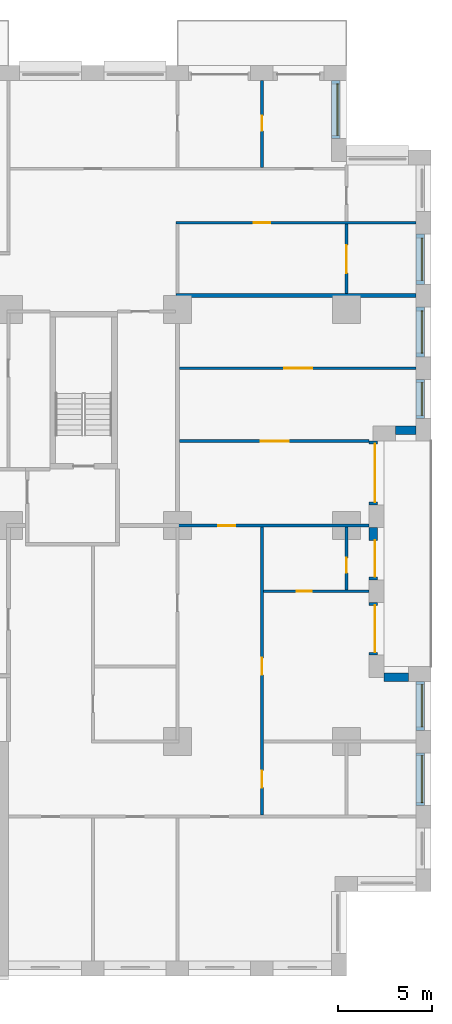
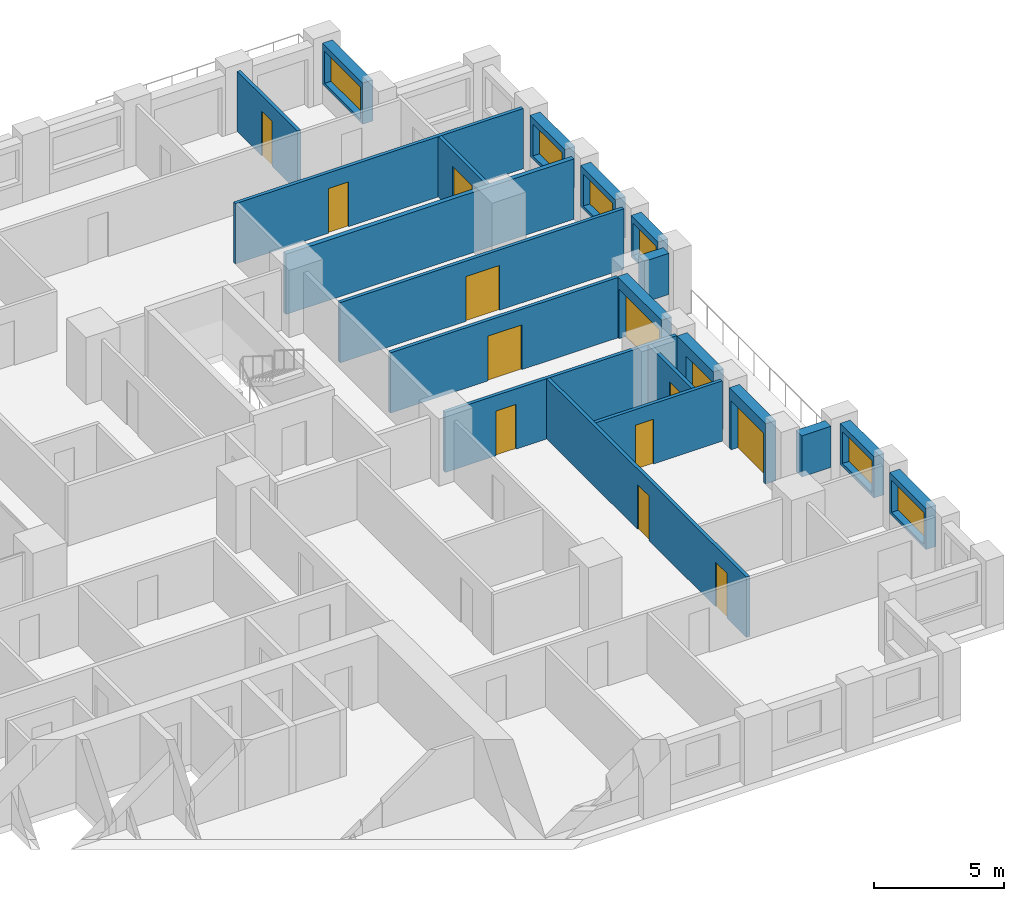
# One storey, part 17 of 20: 21 walls, 13 doors, 6 windows, 19 openings.
"""IFC4 building model written with IfcOpenShell, lengths in metres."""

from ifc_helpers import new_model, si_unit, direction, frame, frame_2d, origin, place, context, subcontext, project, spatial, rectangle, extrude, material, layer, layer_set, type_object, element, fill, save


model = new_model("IFC4")

# Units and contexts
model_context = context("Model", 3, precision=1e-05, world=origin(), true_north=direction((0.0, 1.0)))
body_context = subcontext(model_context, "Body", "Model", "MODEL_VIEW")
ifc_project = project(units=[si_unit("LENGTHUNIT", "METRE"), si_unit("AREAUNIT", "SQUARE_METRE"), si_unit("VOLUMEUNIT", "CUBIC_METRE"), si_unit("PLANEANGLEUNIT", "RADIAN"), si_unit("MASSUNIT", "GRAM", prefix="KILO")], contexts=[model_context])

# Site, building, storey
site_placement = place(None, origin())
site = spatial("IfcSite", under=ifc_project, at=site_placement, CompositionType="ELEMENT")
building_placement = place(site_placement, origin())
building = spatial("IfcBuilding", under=site, at=building_placement, Name="Brigalow Station Residences", CompositionType="ELEMENT")
storey_placement = place(building_placement, frame((0.0, 0.0, 38.39990234375)))
storey = spatial("IfcBuildingStorey", under=building, at=storey_placement, Name="L10", CompositionType="ELEMENT", Elevation=38.39990234375)

# Wall, opening, window
ifc_material_1 = material(Name="Clay brick masonry", Category="masonry")
ifc_layer_1 = layer(ifc_material_1, 0.449951171875)
ifc_layer_set_1 = layer_set([ifc_layer_1], Name="BRICK INFILL WALL 450")
wall_type_1 = type_object("IfcWallType", Name="BRICK INFILL WALL 450", PredefinedType="SOLIDWALL", material=ifc_layer_set_1)
wall_1_placement = place(storey_placement, frame((75.925048828125, 9.10009765625, 0.900146484375), z_axis=(0.0, 0.0, 1.0), x_axis=(0.0, 1.0, 0.0)))
wall_1 = element("IfcWall", 1, at=wall_1_placement, inside=storey, type_object=wall_type_1, Name="L10/ewall/W-L10-12", PredefinedType="SOLIDWALL", context=body_context, shape_type="SweptSolid", body=[
    extrude(rectangle(XDim=2.7998046875, YDim=0.449951171875, at=frame_2d((1.39990234375, 0.0))), origin(), (0.0, 0.0, 1.0), 1.929931640625),
])
opening_1_placement = place(wall_1_placement, frame((0.14990234375, 0.0, 0.14990234375)))
opening_1 = element("IfcOpeningElement", 2, at=opening_1_placement, cuts=wall_1, Name="Opening WT-5", PredefinedType="OPENING", context=body_context, shape_type="SweptSolid", body=[
    extrude(rectangle(XDim=2.5, YDim=1.5, at=frame_2d((1.25, 0.75))), frame((0.0, 0.23486328125, 0.0), z_axis=(0.0, -1.0, 0.0), x_axis=(1.0, 0.0, 0.0)), (0.0, 0.0, 1.0), 0.469970703125),
])
ifc_material_2 = material(Name="Anodised aluminium frame with double glazing", Category="aluminium")
window_type_1 = type_object("IfcWindowType", Name="WINDOW 2500x1500", PartitioningType="SINGLE_PANEL", PredefinedType="WINDOW", material=ifc_material_2)
window_1_placement = place(opening_1_placement, origin())
window_1 = element("IfcWindow", 3, at=window_1_placement, inside=storey, type_object=window_type_1, Name="L10/window/W-L10-12", OverallHeight=1.5, OverallWidth=2.5, PartitioningType="SINGLE_PANEL", PredefinedType="WINDOW", context=body_context, shape_type="SweptSolid", body=[
    extrude(rectangle(XDim=2.5, YDim=1.5, at=frame_2d((1.25, 0.75))), frame((0.0, -0.06494140625, 0.0), z_axis=(0.0, -1.0, 0.0), x_axis=(1.0, 0.0, 0.0)), (0.0, 0.0, 1.0), 0.06005859375),
])
fill(opening_1, window_1)

wall_2_placement = place(storey_placement, frame((75.925048828125, 13.10009765625, 0.900146484375), z_axis=(0.0, 0.0, 1.0), x_axis=(0.0, 1.0, 0.0)))
wall_2 = element("IfcWall", 4, at=wall_2_placement, inside=storey, type_object=wall_type_1, Name="L10/ewall/W-L10-13", PredefinedType="SOLIDWALL", context=body_context, shape_type="SweptSolid", body=[
    extrude(rectangle(XDim=2.599853515625, YDim=0.449951171875, at=frame_2d((1.2998046875, 0.0))), origin(), (0.0, 0.0, 1.0), 1.929931640625),
])
opening_2_placement = place(wall_2_placement, frame((0.175048828125, 0.0, 0.14990234375)))
opening_2 = element("IfcOpeningElement", 5, at=opening_2_placement, cuts=wall_2, Name="Opening WT-6", PredefinedType="OPENING", context=body_context, shape_type="SweptSolid", body=[
    extrude(rectangle(XDim=2.25, YDim=1.5, at=frame_2d((1.125, 0.75))), frame((0.0, 0.23486328125, 0.0), z_axis=(0.0, -1.0, 0.0), x_axis=(1.0, 0.0, 0.0)), (0.0, 0.0, 1.0), 0.469970703125),
])
ifc_material_3 = material(Name="Anodised aluminium frame with double glazing", Category="aluminium")
window_type_2 = type_object("IfcWindowType", Name="WINDOW 2250x1500", PartitioningType="SINGLE_PANEL", PredefinedType="WINDOW", material=ifc_material_3)
window_2_placement = place(opening_2_placement, origin())
window_2 = element("IfcWindow", 6, at=window_2_placement, inside=storey, type_object=window_type_2, Name="L10/window/W-L10-13", OverallHeight=1.5, OverallWidth=2.25, PartitioningType="SINGLE_PANEL", PredefinedType="WINDOW", context=body_context, shape_type="SweptSolid", body=[
    extrude(rectangle(XDim=2.25, YDim=1.5, at=frame_2d((1.125, 0.75))), frame((0.0, -0.06494140625, 0.0), z_axis=(0.0, -1.0, 0.0), x_axis=(1.0, 0.0, 0.0)), (0.0, 0.0, 1.0), 0.06005859375),
])
fill(opening_2, window_2)

# Wall
wall_3_placement = place(storey_placement, frame((75.300048828125, 15.925048828125, 0.900146484375), z_axis=(0.0, 0.0, 1.0), x_axis=(-1.0, 0.0, 0.0)))
element("IfcWall", 7, at=wall_3_placement, inside=storey, type_object=wall_type_1, Name="L10/ewall/W-L10-14", PredefinedType="SOLIDWALL", context=body_context, shape_type="SweptSolid", body=[
    extrude(rectangle(XDim=1.300048828125, YDim=0.449951171875, at=frame_2d((0.64990234375, 0.0))), origin(), (0.0, 0.0, 1.0), 1.929931640625),
])

# Wall, opening, door
wall_4_placement = place(storey_placement, frame((73.425048828125, 17.10009765625, 0.0), z_axis=(0.0, 0.0, 1.0), x_axis=(0.0, 1.0, 0.0)))
wall_4 = element("IfcWall", 8, at=wall_4_placement, inside=storey, type_object=wall_type_1, Name="L10/ewall/W-L10-15", PredefinedType="SOLIDWALL", context=body_context, shape_type="SweptSolid", body=[
    extrude(rectangle(XDim=2.7998046875, YDim=0.449951171875, at=frame_2d((1.39990234375, 0.0))), origin(), (0.0, 0.0, 1.0), 2.830078125),
])
opening_3_placement = place(wall_4_placement, frame((0.14990234375, 0.0, 0.0)))
opening_3 = element("IfcOpeningElement", 9, at=opening_3_placement, cuts=wall_4, Name="Opening D-B2500", PredefinedType="OPENING", context=body_context, shape_type="SweptSolid", body=[
    extrude(rectangle(XDim=2.5, YDim=2.300048828125, at=frame_2d((1.25, 1.14990234375))), frame((0.0, 0.23486328125, 0.0), z_axis=(0.0, -1.0, 0.0), x_axis=(1.0, 0.0, 0.0)), (0.0, 0.0, 1.0), 0.469970703125),
])
ifc_material_4 = material(Name="Anodised aluminium frame with double glazing", Category="aluminium")
door_type_1 = type_object("IfcDoorType", Name="BALCONY SLIDING DOOR 2500x2300", OperationType="SLIDING_TO_LEFT", PredefinedType="DOOR", material=ifc_material_4)
door_1_placement = place(opening_3_placement, origin())
door_1 = element("IfcDoor", 10, at=door_1_placement, inside=storey, type_object=door_type_1, Name="L10/balcony-door/W-L10-15", OperationType="SLIDING_TO_LEFT", OverallHeight=2.300048828125, OverallWidth=2.5, PredefinedType="DOOR", context=body_context, shape_type="SweptSolid", body=[
    extrude(rectangle(XDim=2.5, YDim=2.300048828125, at=frame_2d((1.25, 1.14990234375))), frame((0.0, -0.06982421875, 0.0), z_axis=(0.0, -1.0, 0.0), x_axis=(1.0, 0.0, 0.0)), (0.0, 0.0, 1.0), 0.050048828125),
])
fill(opening_3, door_1)

wall_5_placement = place(storey_placement, frame((73.425048828125, 21.10009765625, 0.0), z_axis=(0.0, 0.0, 1.0), x_axis=(0.0, 1.0, 0.0)))
wall_5 = element("IfcWall", 11, at=wall_5_placement, inside=storey, type_object=wall_type_1, Name="L10/ewall/W-L10-16", PredefinedType="SOLIDWALL", context=body_context, shape_type="SweptSolid", body=[
    extrude(rectangle(XDim=2.7998046875, YDim=0.449951171875, at=frame_2d((1.39990234375, 0.0))), origin(), (0.0, 0.0, 1.0), 2.830078125),
])
opening_4_placement = place(wall_5_placement, frame((0.1650390625, 0.0, 0.0)))
opening_4 = element("IfcOpeningElement", 12, at=opening_4_placement, cuts=wall_5, Name="Opening D-B1950", PredefinedType="OPENING", context=body_context, shape_type="SweptSolid", body=[
    extrude(rectangle(XDim=1.949951171875, YDim=2.300048828125, at=frame_2d((0.97509765625, 1.14990234375))), frame((0.0, 0.23486328125, 0.0), z_axis=(0.0, -1.0, 0.0), x_axis=(1.0, 0.0, 0.0)), (0.0, 0.0, 1.0), 0.469970703125),
])
ifc_material_5 = material(Name="Anodised aluminium frame with double glazing", Category="aluminium")
door_type_2 = type_object("IfcDoorType", Name="BALCONY SLIDING DOOR 1950x2300", OperationType="SLIDING_TO_LEFT", PredefinedType="DOOR", material=ifc_material_5)
door_2_placement = place(opening_4_placement, origin())
door_2 = element("IfcDoor", 13, at=door_2_placement, inside=storey, type_object=door_type_2, Name="L10/balcony-door/W-L10-16", OperationType="SLIDING_TO_LEFT", OverallHeight=2.300048828125, OverallWidth=1.949951171875, PredefinedType="DOOR", context=body_context, shape_type="SweptSolid", body=[
    extrude(rectangle(XDim=1.949951171875, YDim=2.300048828125, at=frame_2d((0.97509765625, 1.14990234375))), frame((0.0, -0.06982421875, 0.0), z_axis=(0.0, -1.0, 0.0), x_axis=(1.0, 0.0, 0.0)), (0.0, 0.0, 1.0), 0.050048828125),
])
fill(opening_4, door_2)

wall_6_placement = place(storey_placement, frame((73.425048828125, 25.10009765625, 0.0), z_axis=(0.0, 0.0, 1.0), x_axis=(0.0, 1.0, 0.0)))
wall_6 = element("IfcWall", 14, at=wall_6_placement, inside=storey, type_object=wall_type_1, Name="L10/ewall/W-L10-17", PredefinedType="SOLIDWALL", context=body_context, shape_type="SweptSolid", body=[
    extrude(rectangle(XDim=3.39990234375, YDim=0.449951171875, at=frame_2d((1.699951171875, 0.0))), origin(), (0.0, 0.0, 1.0), 2.830078125),
])
opening_5_placement = place(wall_6_placement, frame((0.14990234375, 0.0, 0.0)))
opening_5 = element("IfcOpeningElement", 15, at=opening_5_placement, cuts=wall_6, Name="Opening D-B3100", PredefinedType="OPENING", context=body_context, shape_type="SweptSolid", body=[
    extrude(rectangle(XDim=3.10009765625, YDim=2.300048828125, at=frame_2d((1.550048828125, 1.14990234375))), frame((0.0, 0.23486328125, 0.0), z_axis=(0.0, -1.0, 0.0), x_axis=(1.0, 0.0, 0.0)), (0.0, 0.0, 1.0), 0.469970703125),
])
ifc_material_6 = material(Name="Anodised aluminium frame with double glazing", Category="aluminium")
door_type_3 = type_object("IfcDoorType", Name="BALCONY SLIDING DOOR 3100x2300", OperationType="SLIDING_TO_LEFT", PredefinedType="DOOR", material=ifc_material_6)
door_3_placement = place(opening_5_placement, origin())
door_3 = element("IfcDoor", 16, at=door_3_placement, inside=storey, type_object=door_type_3, Name="L10/balcony-door/W-L10-17", OperationType="SLIDING_TO_LEFT", OverallHeight=2.300048828125, OverallWidth=3.10009765625, PredefinedType="DOOR", context=body_context, shape_type="SweptSolid", body=[
    extrude(rectangle(XDim=3.10009765625, YDim=2.300048828125, at=frame_2d((1.550048828125, 1.14990234375))), frame((0.0, -0.06982421875, 0.0), z_axis=(0.0, -1.0, 0.0), x_axis=(1.0, 0.0, 0.0)), (0.0, 0.0, 1.0), 0.050048828125),
])
fill(opening_5, door_3)

# Wall
wall_7_placement = place(storey_placement, frame((74.60009765625, 29.074951171875, 0.900146484375), z_axis=(0.0, 0.0, 1.0), x_axis=(1.0, 0.0, 0.0)))
element("IfcWall", 17, at=wall_7_placement, inside=storey, type_object=wall_type_1, Name="L10/ewall/W-L10-18", PredefinedType="SOLIDWALL", context=body_context, shape_type="SweptSolid", body=[
    extrude(rectangle(XDim=1.099853515625, YDim=0.449951171875, at=frame_2d((0.5498046875, 0.0))), origin(), (0.0, 0.0, 1.0), 1.929931640625),
])

# Wall, opening, window
wall_8_placement = place(storey_placement, frame((75.925048828125, 29.699951171875, 0.900146484375), z_axis=(0.0, 0.0, 1.0), x_axis=(0.0, 1.0, 0.0)))
wall_8 = element("IfcWall", 18, at=wall_8_placement, inside=storey, type_object=wall_type_1, Name="L10/ewall/W-L10-19", PredefinedType="SOLIDWALL", context=body_context, shape_type="SweptSolid", body=[
    extrude(rectangle(XDim=2.074951171875, YDim=0.449951171875, at=frame_2d((1.03759765625, 0.0))), origin(), (0.0, 0.0, 1.0), 1.929931640625),
])
opening_6_placement = place(wall_8_placement, frame((0.16259765625, 0.0, 0.14990234375)))
opening_6 = element("IfcOpeningElement", 19, at=opening_6_placement, cuts=wall_8, Name="Opening WT-4", PredefinedType="OPENING", context=body_context, shape_type="SweptSolid", body=[
    extrude(rectangle(XDim=1.75, YDim=1.5, at=frame_2d((0.875, 0.75))), frame((0.0, 0.23486328125, 0.0), z_axis=(0.0, -1.0, 0.0), x_axis=(1.0, 0.0, 0.0)), (0.0, 0.0, 1.0), 0.469970703125),
])
ifc_material_7 = material(Name="Anodised aluminium frame with double glazing", Category="aluminium")
window_type_3 = type_object("IfcWindowType", Name="WINDOW 1750x1500", PartitioningType="SINGLE_PANEL", PredefinedType="WINDOW", material=ifc_material_7)
window_3_placement = place(opening_6_placement, origin())
window_3 = element("IfcWindow", 20, at=window_3_placement, inside=storey, type_object=window_type_3, Name="L10/window/W-L10-19", OverallHeight=1.5, OverallWidth=1.75, PartitioningType="SINGLE_PANEL", PredefinedType="WINDOW", context=body_context, shape_type="SweptSolid", body=[
    extrude(rectangle(XDim=1.75, YDim=1.5, at=frame_2d((0.875, 0.75))), frame((0.0, -0.06494140625, 0.0), z_axis=(0.0, -1.0, 0.0), x_axis=(1.0, 0.0, 0.0)), (0.0, 0.0, 1.0), 0.06005859375),
])
fill(opening_6, window_3)

wall_9_placement = place(storey_placement, frame((75.925048828125, 32.97509765625, 0.900146484375), z_axis=(0.0, 0.0, 1.0), x_axis=(0.0, 1.0, 0.0)))
wall_9 = element("IfcWall", 21, at=wall_9_placement, inside=storey, type_object=wall_type_1, Name="L10/ewall/W-L10-20", PredefinedType="SOLIDWALL", context=body_context, shape_type="SweptSolid", body=[
    extrude(rectangle(XDim=2.6748046875, YDim=0.449951171875, at=frame_2d((1.33740234375, 0.0))), origin(), (0.0, 0.0, 1.0), 1.929931640625),
])
opening_7_placement = place(wall_9_placement, frame((0.21240234375, 0.0, 0.14990234375)))
opening_7 = element("IfcOpeningElement", 22, at=opening_7_placement, cuts=wall_9, Name="Opening WT-6", PredefinedType="OPENING", context=body_context, shape_type="SweptSolid", body=[
    extrude(rectangle(XDim=2.25, YDim=1.5, at=frame_2d((1.125, 0.75))), frame((0.0, 0.23486328125, 0.0), z_axis=(0.0, -1.0, 0.0), x_axis=(1.0, 0.0, 0.0)), (0.0, 0.0, 1.0), 0.469970703125),
])
window_4_placement = place(opening_7_placement, origin())
window_4 = element("IfcWindow", 23, at=window_4_placement, inside=storey, type_object=window_type_2, Name="L10/window/W-L10-20", OverallHeight=1.5, OverallWidth=2.25, PartitioningType="SINGLE_PANEL", PredefinedType="WINDOW", context=body_context, shape_type="SweptSolid", body=[
    extrude(rectangle(XDim=2.25, YDim=1.5, at=frame_2d((1.125, 0.75))), frame((0.0, -0.06494140625, 0.0), z_axis=(0.0, -1.0, 0.0), x_axis=(1.0, 0.0, 0.0)), (0.0, 0.0, 1.0), 0.06005859375),
])
fill(opening_7, window_4)

wall_10_placement = place(storey_placement, frame((75.925048828125, 36.85009765625, 0.900146484375), z_axis=(0.0, 0.0, 1.0), x_axis=(0.0, 1.0, 0.0)))
wall_10 = element("IfcWall", 24, at=wall_10_placement, inside=storey, type_object=wall_type_1, Name="L10/ewall/W-L10-21", PredefinedType="SOLIDWALL", context=body_context, shape_type="SweptSolid", body=[
    extrude(rectangle(XDim=2.6748046875, YDim=0.449951171875, at=frame_2d((1.33740234375, 0.0))), origin(), (0.0, 0.0, 1.0), 1.929931640625),
])
opening_8_placement = place(wall_10_placement, frame((0.21240234375, 0.0, 0.14990234375)))
opening_8 = element("IfcOpeningElement", 25, at=opening_8_placement, cuts=wall_10, Name="Opening WT-6", PredefinedType="OPENING", context=body_context, shape_type="SweptSolid", body=[
    extrude(rectangle(XDim=2.25, YDim=1.5, at=frame_2d((1.125, 0.75))), frame((0.0, 0.23486328125, 0.0), z_axis=(0.0, -1.0, 0.0), x_axis=(1.0, 0.0, 0.0)), (0.0, 0.0, 1.0), 0.469970703125),
])
window_5_placement = place(opening_8_placement, origin())
window_5 = element("IfcWindow", 26, at=window_5_placement, inside=storey, type_object=window_type_2, Name="L10/window/W-L10-21", OverallHeight=1.5, OverallWidth=2.25, PartitioningType="SINGLE_PANEL", PredefinedType="WINDOW", context=body_context, shape_type="SweptSolid", body=[
    extrude(rectangle(XDim=2.25, YDim=1.5, at=frame_2d((1.125, 0.75))), frame((0.0, -0.06494140625, 0.0), z_axis=(0.0, -1.0, 0.0), x_axis=(1.0, 0.0, 0.0)), (0.0, 0.0, 1.0), 0.06005859375),
])
fill(opening_8, window_5)

wall_11_placement = place(storey_placement, frame((71.425048828125, 44.60009765625, 0.900146484375), z_axis=(0.0, 0.0, 1.0), x_axis=(0.0, 1.0, 0.0)))
wall_11 = element("IfcWall", 27, at=wall_11_placement, inside=storey, type_object=wall_type_1, Name="L10/ewall/W-L10-24", PredefinedType="SOLIDWALL", context=body_context, shape_type="SweptSolid", body=[
    extrude(rectangle(XDim=3.099853515625, YDim=0.449951171875, at=frame_2d((1.5498046875, 0.0))), origin(), (0.0, 0.0, 1.0), 1.929931640625),
])
opening_9_placement = place(wall_11_placement, frame((0.175048828125, 0.0, 0.14990234375)))
opening_9 = element("IfcOpeningElement", 28, at=opening_9_placement, cuts=wall_11, Name="Opening WT-3", PredefinedType="OPENING", context=body_context, shape_type="SweptSolid", body=[
    extrude(rectangle(XDim=2.75, YDim=1.5, at=frame_2d((1.375, 0.75))), frame((0.0, 0.23486328125, 0.0), z_axis=(0.0, -1.0, 0.0), x_axis=(1.0, 0.0, 0.0)), (0.0, 0.0, 1.0), 0.469970703125),
])
ifc_material_8 = material(Name="Anodised aluminium frame with double glazing", Category="aluminium")
window_type_4 = type_object("IfcWindowType", Name="WINDOW 2750x1500", PartitioningType="SINGLE_PANEL", PredefinedType="WINDOW", material=ifc_material_8)
window_6_placement = place(opening_9_placement, origin())
window_6 = element("IfcWindow", 29, at=window_6_placement, inside=storey, type_object=window_type_4, Name="L10/window/W-L10-24", OverallHeight=1.5, OverallWidth=2.75, PartitioningType="SINGLE_PANEL", PredefinedType="WINDOW", context=body_context, shape_type="SweptSolid", body=[
    extrude(rectangle(XDim=2.75, YDim=1.5, at=frame_2d((1.375, 0.75))), frame((0.0, -0.06494140625, 0.0), z_axis=(0.0, -1.0, 0.0), x_axis=(1.0, 0.0, 0.0)), (0.0, 0.0, 1.0), 0.06005859375),
])
fill(opening_9, window_6)

# Wall, opening, door
ifc_material_9 = material(Name="Plasterboard on steel stud partition", Category="steel")
ifc_layer_2 = layer(ifc_material_9, 0.14990234375)
ifc_layer_set_2 = layer_set([ifc_layer_2], Name="FLAT PARTITION 150")
wall_type_2 = type_object("IfcWallType", Name="FLAT PARTITION 150", PredefinedType="PARTITIONING", material=ifc_layer_set_2)
wall_12_placement = place(storey_placement, frame((62.925048828125, 24.0, 0.0), z_axis=(0.0, 0.0, 1.0), x_axis=(1.0, 0.0, 0.0)))
wall_12 = element("IfcWall", 30, at=wall_12_placement, inside=storey, type_object=wall_type_2, Name="PW-1C03", PredefinedType="PARTITIONING", context=body_context, shape_type="SweptSolid", body=[
    extrude(rectangle(XDim=10.27490234375, YDim=0.14990234375, at=frame_2d((5.137451171875, 0.0))), origin(), (0.0, 0.0, 1.0), 2.830078125),
])
opening_10_placement = place(wall_12_placement, frame((2.25, 0.0, 0.0)))
opening_10 = element("IfcOpeningElement", 31, at=opening_10_placement, cuts=wall_12, Name="Opening D-1C53", PredefinedType="OPENING", context=body_context, shape_type="SweptSolid", body=[
    extrude(rectangle(XDim=0.89990234375, YDim=2.10009765625, at=frame_2d((0.449951171875, 1.050048828125))), frame((0.0, 0.0849609375, 0.0), z_axis=(0.0, -1.0, 0.0), x_axis=(1.0, 0.0, 0.0)), (0.0, 0.0, 1.0), 0.169921875),
])
ifc_material_10 = material(Name="Solid-core timber door leaf", Category="wood")
door_type_4 = type_object("IfcDoorType", Name="INTERNAL DOOR 900 x 2100", OperationType="SINGLE_SWING_LEFT", PredefinedType="DOOR", material=ifc_material_10)
door_4_placement = place(opening_10_placement, origin())
door_4 = element("IfcDoor", 32, at=door_4_placement, inside=storey, type_object=door_type_4, Name="D-1C53", OperationType="SINGLE_SWING_LEFT", OverallHeight=2.10009765625, OverallWidth=0.89990234375, PredefinedType="DOOR", context=body_context, shape_type="SweptSolid", body=[
    extrude(rectangle(XDim=0.89990234375, YDim=2.10009765625, at=frame_2d((0.449951171875, 1.050048828125))), frame((0.0, 0.02490234375, 0.0), z_axis=(0.0, -1.0, 0.0), x_axis=(1.0, 0.0, 0.0)), (0.0, 0.0, 1.0), 0.050048828125),
])
fill(opening_10, door_4)

wall_13_placement = place(storey_placement, frame((67.574951171875, 20.5, 0.0), z_axis=(0.0, 0.0, 1.0), x_axis=(1.0, 0.0, 0.0)))
wall_13 = element("IfcWall", 33, at=wall_13_placement, inside=storey, type_object=wall_type_2, Name="PW-1C18", PredefinedType="PARTITIONING", context=body_context, shape_type="SweptSolid", body=[
    extrude(rectangle(XDim=5.625, YDim=0.14990234375, at=frame_2d((2.8125, 0.0))), origin(), (0.0, 0.0, 1.0), 2.830078125),
])
opening_11_placement = place(wall_13_placement, frame((1.77490234375, 0.0, 0.0)))
opening_11 = element("IfcOpeningElement", 34, at=opening_11_placement, cuts=wall_13, Name="Opening D-1C54", PredefinedType="OPENING", context=body_context, shape_type="SweptSolid", body=[
    extrude(rectangle(XDim=0.800048828125, YDim=2.10009765625, at=frame_2d((0.39990234375, 1.050048828125))), frame((0.0, 0.0849609375, 0.0), z_axis=(0.0, -1.0, 0.0), x_axis=(1.0, 0.0, 0.0)), (0.0, 0.0, 1.0), 0.169921875),
])
ifc_material_11 = material(Name="Solid-core timber door leaf", Category="wood")
door_type_5 = type_object("IfcDoorType", Name="INTERNAL DOOR 800 x 2100", OperationType="SINGLE_SWING_LEFT", PredefinedType="DOOR", material=ifc_material_11)
door_5_placement = place(opening_11_placement, origin())
door_5 = element("IfcDoor", 35, at=door_5_placement, inside=storey, type_object=door_type_5, Name="D-1C54", OperationType="SINGLE_SWING_LEFT", OverallHeight=2.10009765625, OverallWidth=0.800048828125, PredefinedType="DOOR", context=body_context, shape_type="SweptSolid", body=[
    extrude(rectangle(XDim=0.800048828125, YDim=2.10009765625, at=frame_2d((0.39990234375, 1.050048828125))), frame((0.0, 0.02490234375, 0.0), z_axis=(0.0, -1.0, 0.0), x_axis=(1.0, 0.0, 0.0)), (0.0, 0.0, 1.0), 0.050048828125),
])
fill(opening_11, door_5)

wall_14_placement = place(storey_placement, frame((63.10009765625, 32.375, 0.0), z_axis=(0.0, 0.0, 1.0), x_axis=(1.0, 0.0, 0.0)))
wall_14 = element("IfcWall", 36, at=wall_14_placement, inside=storey, type_object=wall_type_2, Name="PW-1C20", PredefinedType="PARTITIONING", context=body_context, shape_type="SweptSolid", body=[
    extrude(rectangle(XDim=12.599853515625, YDim=0.14990234375, at=frame_2d((6.2998046875, 0.0))), origin(), (0.0, 0.0, 1.0), 2.830078125),
])
opening_12_placement = place(wall_14_placement, frame((5.574951171875, 0.0, 0.0)))
opening_12 = element("IfcOpeningElement", 37, at=opening_12_placement, cuts=wall_14, Name="Opening D-1C56", PredefinedType="OPENING", context=body_context, shape_type="SweptSolid", body=[
    extrude(rectangle(XDim=1.5, YDim=2.10009765625, at=frame_2d((0.75, 1.050048828125))), frame((0.0, 0.0849609375, 0.0), z_axis=(0.0, -1.0, 0.0), x_axis=(1.0, 0.0, 0.0)), (0.0, 0.0, 1.0), 0.169921875),
])
ifc_material_12 = material(Name="Solid-core timber door leaf", Category="wood")
door_type_6 = type_object("IfcDoorType", Name="INTERNAL DOUBLE DOOR 1500 x 2100", OperationType="DOUBLE_DOOR_SINGLE_SWING", PredefinedType="DOOR", material=ifc_material_12)
door_6_placement = place(opening_12_placement, frame((1.5, 0.0, 0.0), z_axis=(0.0, 0.0, 1.0), x_axis=(-1.0, 0.0, 0.0)))
door_6 = element("IfcDoor", 38, at=door_6_placement, inside=storey, type_object=door_type_6, Name="D-1C56", OperationType="DOUBLE_DOOR_SINGLE_SWING", OverallHeight=2.10009765625, OverallWidth=1.5, PredefinedType="DOOR", context=body_context, shape_type="SweptSolid", body=[
    extrude(rectangle(XDim=1.5, YDim=2.10009765625, at=frame_2d((0.75, 1.050048828125))), frame((0.0, 0.02490234375, 0.0), z_axis=(0.0, -1.0, 0.0), x_axis=(1.0, 0.0, 0.0)), (0.0, 0.0, 1.0), 0.050048828125),
])
fill(opening_12, door_6)

wall_15_placement = place(storey_placement, frame((63.10009765625, 28.5, 0.0), z_axis=(0.0, 0.0, 1.0), x_axis=(1.0, 0.0, 0.0)))
wall_15 = element("IfcWall", 39, at=wall_15_placement, inside=storey, type_object=wall_type_2, Name="PW-1C24", PredefinedType="PARTITIONING", context=body_context, shape_type="SweptSolid", body=[
    extrude(rectangle(XDim=10.099853515625, YDim=0.14990234375, at=frame_2d((5.0498046875, 0.0))), origin(), (0.0, 0.0, 1.0), 2.830078125),
])
opening_13_placement = place(wall_15_placement, frame((4.324951171875, 0.0, 0.0)))
opening_13 = element("IfcOpeningElement", 40, at=opening_13_placement, cuts=wall_15, Name="Opening D-1C52", PredefinedType="OPENING", context=body_context, shape_type="SweptSolid", body=[
    extrude(rectangle(XDim=1.5, YDim=2.10009765625, at=frame_2d((0.75, 1.050048828125))), frame((0.0, 0.0849609375, 0.0), z_axis=(0.0, -1.0, 0.0), x_axis=(1.0, 0.0, 0.0)), (0.0, 0.0, 1.0), 0.169921875),
])
door_7_placement = place(opening_13_placement, frame((1.5, 0.0, 0.0), z_axis=(0.0, 0.0, 1.0), x_axis=(-1.0, 0.0, 0.0)))
door_7 = element("IfcDoor", 41, at=door_7_placement, inside=storey, type_object=door_type_6, Name="D-1C52", OperationType="DOUBLE_DOOR_SINGLE_SWING", OverallHeight=2.10009765625, OverallWidth=1.5, PredefinedType="DOOR", context=body_context, shape_type="SweptSolid", body=[
    extrude(rectangle(XDim=1.5, YDim=2.10009765625, at=frame_2d((0.75, 1.050048828125))), frame((0.0, 0.02490234375, 0.0), z_axis=(0.0, -1.0, 0.0), x_axis=(1.0, 0.0, 0.0)), (0.0, 0.0, 1.0), 0.050048828125),
])
fill(opening_13, door_7)

wall_16_placement = place(storey_placement, frame((62.925048828125, 40.125, 0.0), z_axis=(0.0, 0.0, 1.0), x_axis=(1.0, 0.0, 0.0)))
wall_16 = element("IfcWall", 42, at=wall_16_placement, inside=storey, type_object=wall_type_2, Name="PW-1C33", PredefinedType="PARTITIONING", context=body_context, shape_type="SweptSolid", body=[
    extrude(rectangle(XDim=12.77490234375, YDim=0.14990234375, at=frame_2d((6.387451171875, 0.0))), origin(), (0.0, 0.0, 1.0), 2.830078125),
])
opening_14_placement = place(wall_16_placement, frame((4.125, 0.0, 0.0)))
opening_14 = element("IfcOpeningElement", 43, at=opening_14_placement, cuts=wall_16, Name="Opening D-1C41", PredefinedType="OPENING", context=body_context, shape_type="SweptSolid", body=[
    extrude(rectangle(XDim=0.89990234375, YDim=2.10009765625, at=frame_2d((0.449951171875, 1.050048828125))), frame((0.0, 0.0849609375, 0.0), z_axis=(0.0, -1.0, 0.0), x_axis=(1.0, 0.0, 0.0)), (0.0, 0.0, 1.0), 0.169921875),
])
door_8_placement = place(opening_14_placement, frame((0.89990234375, 0.0, 0.0), z_axis=(0.0, 0.0, 1.0), x_axis=(-1.0, 0.0, 0.0)))
door_8 = element("IfcDoor", 44, at=door_8_placement, inside=storey, type_object=door_type_4, Name="D-1C41", OperationType="SINGLE_SWING_RIGHT", OverallHeight=2.10009765625, OverallWidth=0.89990234375, PredefinedType="DOOR", context=body_context, shape_type="SweptSolid", body=[
    extrude(rectangle(XDim=0.89990234375, YDim=2.10009765625, at=frame_2d((0.449951171875, 1.050048828125))), frame((0.0, 0.02490234375, 0.0), z_axis=(0.0, -1.0, 0.0), x_axis=(1.0, 0.0, 0.0)), (0.0, 0.0, 1.0), 0.050048828125),
])
fill(opening_14, door_8)

wall_17_placement = place(storey_placement, frame((72.0, 20.574951171875, 0.0), z_axis=(0.0, 0.0, 1.0), x_axis=(0.0, 1.0, 0.0)))
wall_17 = element("IfcWall", 45, at=wall_17_placement, inside=storey, type_object=wall_type_2, Name="PW-1C75", PredefinedType="PARTITIONING", context=body_context, shape_type="SweptSolid", body=[
    extrude(rectangle(XDim=3.35009765625, YDim=0.14990234375, at=frame_2d((1.675048828125, 0.0))), origin(), (0.0, 0.0, 1.0), 2.830078125),
])
opening_15_placement = place(wall_17_placement, frame((0.89990234375, 0.0, 0.0)))
opening_15 = element("IfcOpeningElement", 46, at=opening_15_placement, cuts=wall_17, Name="Opening D-1C55", PredefinedType="OPENING", context=body_context, shape_type="SweptSolid", body=[
    extrude(rectangle(XDim=0.800048828125, YDim=2.10009765625, at=frame_2d((0.39990234375, 1.050048828125))), frame((0.0, 0.0849609375, 0.0), z_axis=(0.0, -1.0, 0.0), x_axis=(1.0, 0.0, 0.0)), (0.0, 0.0, 1.0), 0.169921875),
])
door_9_placement = place(opening_15_placement, frame((0.800048828125, 0.0, 0.0), z_axis=(0.0, 0.0, 1.0), x_axis=(-1.0, 0.0, 0.0)))
door_9 = element("IfcDoor", 47, at=door_9_placement, inside=storey, type_object=door_type_5, Name="D-1C55", OperationType="SINGLE_SWING_RIGHT", OverallHeight=2.10009765625, OverallWidth=0.800048828125, PredefinedType="DOOR", context=body_context, shape_type="SweptSolid", body=[
    extrude(rectangle(XDim=0.800048828125, YDim=2.10009765625, at=frame_2d((0.39990234375, 1.050048828125))), frame((0.0, 0.02490234375, 0.0), z_axis=(0.0, -1.0, 0.0), x_axis=(1.0, 0.0, 0.0)), (0.0, 0.0, 1.0), 0.050048828125),
])
fill(opening_15, door_9)

wall_18_placement = place(storey_placement, frame((72.0, 36.35009765625, 0.0), z_axis=(0.0, 0.0, 1.0), x_axis=(0.0, 1.0, 0.0)))
wall_18 = element("IfcWall", 48, at=wall_18_placement, inside=storey, type_object=wall_type_2, Name="PW-1C76", PredefinedType="PARTITIONING", context=body_context, shape_type="SweptSolid", body=[
    extrude(rectangle(XDim=3.699951171875, YDim=0.14990234375, at=frame_2d((1.85009765625, 0.0))), origin(), (0.0, 0.0, 1.0), 2.830078125),
])
opening_16_placement = place(wall_18_placement, frame((1.087890625, 0.0, 0.0)))
opening_16 = element("IfcOpeningElement", 49, at=opening_16_placement, cuts=wall_18, Name="Opening D-1C48", PredefinedType="OPENING", context=body_context, shape_type="SweptSolid", body=[
    extrude(rectangle(XDim=1.5, YDim=2.10009765625, at=frame_2d((0.75, 1.050048828125))), frame((0.0, 0.0849609375, 0.0), z_axis=(0.0, -1.0, 0.0), x_axis=(1.0, 0.0, 0.0)), (0.0, 0.0, 1.0), 0.169921875),
])
door_10_placement = place(opening_16_placement, origin())
door_10 = element("IfcDoor", 50, at=door_10_placement, inside=storey, type_object=door_type_6, Name="D-1C48", OperationType="DOUBLE_DOOR_SINGLE_SWING", OverallHeight=2.10009765625, OverallWidth=1.5, PredefinedType="DOOR", context=body_context, shape_type="SweptSolid", body=[
    extrude(rectangle(XDim=1.5, YDim=2.10009765625, at=frame_2d((0.75, 1.050048828125))), frame((0.0, 0.02490234375, 0.0), z_axis=(0.0, -1.0, 0.0), x_axis=(1.0, 0.0, 0.0)), (0.0, 0.0, 1.0), 0.050048828125),
])
fill(opening_16, door_10)

# Wall, openings, doors
wall_19_placement = place(storey_placement, frame((67.5, 8.574951171875, 0.0), z_axis=(0.0, 0.0, 1.0), x_axis=(0.0, 1.0, 0.0)))
wall_19 = element("IfcWall", 51, at=wall_19_placement, inside=storey, type_object=wall_type_2, Name="PW-1C79", PredefinedType="PARTITIONING", context=body_context, shape_type="SweptSolid", body=[
    extrude(rectangle(XDim=15.35009765625, YDim=0.14990234375, at=frame_2d((7.675048828125, 0.0))), origin(), (0.0, 0.0, 1.0), 2.830078125),
])
opening_17_placement = place(wall_19_placement, frame((7.47509765625, 0.0, 0.0)))
opening_17 = element("IfcOpeningElement", 52, at=opening_17_placement, cuts=wall_19, Name="Opening D-1C59", PredefinedType="OPENING", context=body_context, shape_type="SweptSolid", body=[
    extrude(rectangle(XDim=0.89990234375, YDim=2.10009765625, at=frame_2d((0.449951171875, 1.050048828125))), frame((0.0, 0.0849609375, 0.0), z_axis=(0.0, -1.0, 0.0), x_axis=(1.0, 0.0, 0.0)), (0.0, 0.0, 1.0), 0.169921875),
])
opening_18_placement = place(wall_19_placement, frame((1.47509765625, 0.0, 0.0)))
opening_18 = element("IfcOpeningElement", 53, at=opening_18_placement, cuts=wall_19, Name="Opening D-1C60", PredefinedType="OPENING", context=body_context, shape_type="SweptSolid", body=[
    extrude(rectangle(XDim=0.89990234375, YDim=2.10009765625, at=frame_2d((0.449951171875, 1.050048828125))), frame((0.0, 0.0849609375, 0.0), z_axis=(0.0, -1.0, 0.0), x_axis=(1.0, 0.0, 0.0)), (0.0, 0.0, 1.0), 0.169921875),
])
door_11_placement = place(opening_17_placement, frame((0.89990234375, 0.0, 0.0), z_axis=(0.0, 0.0, 1.0), x_axis=(-1.0, 0.0, 0.0)))
door_11 = element("IfcDoor", 54, at=door_11_placement, inside=storey, type_object=door_type_4, Name="D-1C59", OperationType="SINGLE_SWING_RIGHT", OverallHeight=2.10009765625, OverallWidth=0.89990234375, PredefinedType="DOOR", context=body_context, shape_type="SweptSolid", body=[
    extrude(rectangle(XDim=0.89990234375, YDim=2.10009765625, at=frame_2d((0.449951171875, 1.050048828125))), frame((0.0, 0.02490234375, 0.0), z_axis=(0.0, -1.0, 0.0), x_axis=(1.0, 0.0, 0.0)), (0.0, 0.0, 1.0), 0.050048828125),
])
fill(opening_17, door_11)
door_12_placement = place(opening_18_placement, frame((0.89990234375, 0.0, 0.0), z_axis=(0.0, 0.0, 1.0), x_axis=(-1.0, 0.0, 0.0)))
door_12 = element("IfcDoor", 55, at=door_12_placement, inside=storey, type_object=door_type_4, Name="D-1C60", OperationType="SINGLE_SWING_LEFT", OverallHeight=2.10009765625, OverallWidth=0.89990234375, PredefinedType="DOOR", context=body_context, shape_type="SweptSolid", body=[
    extrude(rectangle(XDim=0.89990234375, YDim=2.10009765625, at=frame_2d((0.449951171875, 1.050048828125))), frame((0.0, 0.02490234375, 0.0), z_axis=(0.0, -1.0, 0.0), x_axis=(1.0, 0.0, 0.0)), (0.0, 0.0, 1.0), 0.050048828125),
])
fill(opening_18, door_12)

# Wall, opening, door
wall_20_placement = place(storey_placement, frame((67.5, 43.074951171875, 0.0), z_axis=(0.0, 0.0, 1.0), x_axis=(0.0, 1.0, 0.0)))
wall_20 = element("IfcWall", 56, at=wall_20_placement, inside=storey, type_object=wall_type_2, Name="PW-1C80", PredefinedType="PARTITIONING", context=body_context, shape_type="SweptSolid", body=[
    extrude(rectangle(XDim=4.625, YDim=0.14990234375, at=frame_2d((2.3125, 0.0))), origin(), (0.0, 0.0, 1.0), 2.830078125),
])
opening_19_placement = place(wall_20_placement, frame((1.949951171875, 0.0, 0.0)))
opening_19 = element("IfcOpeningElement", 57, at=opening_19_placement, cuts=wall_20, Name="Opening D-1C33", PredefinedType="OPENING", context=body_context, shape_type="SweptSolid", body=[
    extrude(rectangle(XDim=0.800048828125, YDim=2.10009765625, at=frame_2d((0.39990234375, 1.050048828125))), frame((0.0, 0.0849609375, 0.0), z_axis=(0.0, -1.0, 0.0), x_axis=(1.0, 0.0, 0.0)), (0.0, 0.0, 1.0), 0.169921875),
])
door_13_placement = place(opening_19_placement, origin())
door_13 = element("IfcDoor", 58, at=door_13_placement, inside=storey, type_object=door_type_5, Name="D-1C33", OperationType="SINGLE_SWING_RIGHT", OverallHeight=2.10009765625, OverallWidth=0.800048828125, PredefinedType="DOOR", context=body_context, shape_type="SweptSolid", body=[
    extrude(rectangle(XDim=0.800048828125, YDim=2.10009765625, at=frame_2d((0.39990234375, 1.050048828125))), frame((0.0, 0.02490234375, 0.0), z_axis=(0.0, -1.0, 0.0), x_axis=(1.0, 0.0, 0.0)), (0.0, 0.0, 1.0), 0.050048828125),
])
fill(opening_19, door_13)

# Wall
ifc_material_13 = material(Name="Plasterboard on steel stud partition", Category="steel")
ifc_layer_3 = layer(ifc_material_13, 0.199951171875)
ifc_layer_set_3 = layer_set([ifc_layer_3], Name="PARTY AND CORRIDOR WALL 200")
wall_type_3 = type_object("IfcWallType", Name="PARTY AND CORRIDOR WALL 200", PredefinedType="PARTITIONING", material=ifc_layer_set_3)
wall_21_placement = place(storey_placement, frame((62.925048828125, 36.25, 0.0), z_axis=(0.0, 0.0, 1.0), x_axis=(1.0, 0.0, 0.0)))
element("IfcWall", 59, at=wall_21_placement, inside=storey, type_object=wall_type_3, Name="PW-1C26", PredefinedType="PARTITIONING", context=body_context, shape_type="SweptSolid", body=[
    extrude(rectangle(XDim=12.77490234375, YDim=0.199951171875, at=frame_2d((6.387451171875, 0.0))), origin(), (0.0, 0.0, 1.0), 2.830078125),
])

save(model, "model.ifc")
